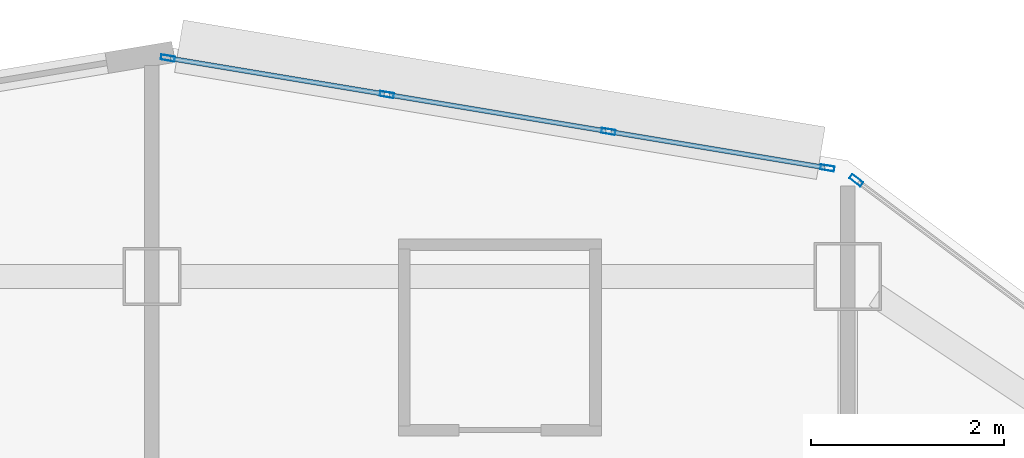
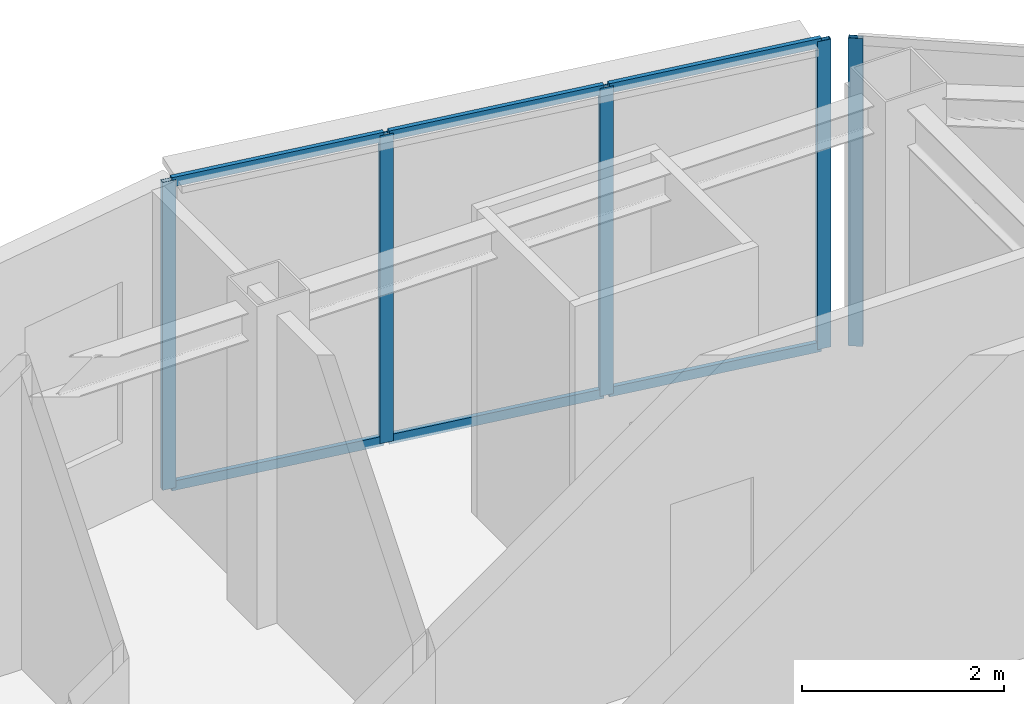
# One storey, part 3 of 10: 11 members, 2 elements without a shape of their own.
"""IFC4 building model written with IfcOpenShell, lengths in metres."""

from ifc_helpers import new_model, si_unit, direction, frame, origin, origin_2d, place, context, subcontext, project, spatial, hollow_rectangle, extrude, material, layer, layer_set, material_profile, profile_set, type_object, element, aggregate, save


model = new_model("IFC4")

# Units and contexts
model_context = context("Model", 3, precision=1e-05, world=origin(), true_north=direction((0.0, 1.0)))
body_context = subcontext(model_context, "Body", "Model", "MODEL_VIEW")
ifc_project = project(units=[si_unit("LENGTHUNIT", "METRE"), si_unit("AREAUNIT", "SQUARE_METRE"), si_unit("VOLUMEUNIT", "CUBIC_METRE"), si_unit("PLANEANGLEUNIT", "RADIAN"), si_unit("MASSUNIT", "GRAM", prefix="KILO")], contexts=[model_context])

# Site, building, storey
site_placement = place(None, origin())
site = spatial("IfcSite", under=ifc_project, at=site_placement, CompositionType="ELEMENT")
building_placement = place(site_placement, origin())
building = spatial("IfcBuilding", under=site, at=building_placement, Name="Haolan Belvedere Tower", CompositionType="ELEMENT")
storey_placement = place(building_placement, frame((0.0, 0.0, 286.10009765625)))
storey = spatial("IfcBuildingStorey", under=building, at=storey_placement, Name="L72", CompositionType="ELEMENT", Elevation=286.10009765625)

# Curtain wall, member
ifc_material_1 = material(Name="Anodised champagne-silver aluminium 6063-T6 and Low-E glass", Category="aluminium")
ifc_layer = layer(ifc_material_1, 0.14501953125, Name="Anodised champagne-silver aluminium 6063-T6 and Low-E glass")
ifc_layer_set = layer_set([ifc_layer], Name="Anodised champagne-silver aluminium 6063-T6 and Low-E glass")
curtain_wall_type = type_object("IfcCurtainWallType", Name="CW-SYS-05", PredefinedType="NOTDEFINED", material=ifc_layer_set)
curtain_wall_1_placement = place(storey_placement, origin())
curtain_wall_1 = element("IfcCurtainWall", 1, at=curtain_wall_1_placement, inside=storey, type_object=curtain_wall_type, Name="L72 CW-SYS-05 ribbon curtain wall 8.1", PredefinedType="NOTDEFINED")
ifc_material_2 = material(Name="Anodised aluminium 6063-T6", Category="aluminium")
ifc_material_profile_1 = material_profile(ifc_material_2, hollow_rectangle(XDim=0.053955078125, YDim=0.14501953125, WallThickness=0.00390625, at=origin_2d()), Name="Anodised aluminium 6063-T6")
ifc_profile_set_1 = profile_set([ifc_material_profile_1], Name="Anodised aluminium 6063-T6")
member_type_1 = type_object("IfcMemberType", Name="CW-SYS-05-MUL", PredefinedType="MULLION", material=ifc_profile_set_1)
member_1_placement = place(storey_placement, frame((45.689208984375, 51.395751953125, 0.0), z_axis=(0.0, 0.0, 1.0), x_axis=(-0.600002837806, -0.799997871638, 0.0)))
member_1 = element("IfcMember", 2, at=member_1_placement, type_object=member_type_1, Name="CW-05 mullion 3", PredefinedType="MULLION", context=body_context, shape_type="SweptSolid", body=[
    extrude(hollow_rectangle(XDim=0.053955078125, YDim=0.14501953125, WallThickness=0.00390625, at=origin_2d()), origin(), (0.0, 0.0, 1.0), 3.719970703125),
])
aggregate(curtain_wall_1, [member_1])

# Curtain wall, members
curtain_wall_2_placement = place(storey_placement, origin())
curtain_wall_2 = element("IfcCurtainWall", 3, at=curtain_wall_2_placement, inside=storey, type_object=curtain_wall_type, Name="L72 CW-SYS-05 ribbon curtain wall 9.1", PredefinedType="NOTDEFINED")
member_2_placement = place(storey_placement, frame((45.390869140625, 51.5234375, 0.0), z_axis=(0.0, 0.0, 1.0), x_axis=(-0.164405962825, -0.98639276122, 0.0)))
member_2 = element("IfcMember", 4, at=member_2_placement, type_object=member_type_1, Name="CW-05 mullion 1", PredefinedType="MULLION", context=body_context, shape_type="SweptSolid", body=[
    extrude(hollow_rectangle(XDim=0.053955078125, YDim=0.14501953125, WallThickness=0.00390625, at=origin_2d()), origin(), (0.0, 0.0, 1.0), 3.719970703125),
])
member_3_placement = place(storey_placement, frame((43.124267578125, 51.901123046875, 0.0), z_axis=(0.0, 0.0, 1.0), x_axis=(-0.164405962825, -0.98639276122, 0.0)))
member_3 = element("IfcMember", 5, at=member_3_placement, type_object=member_type_1, Name="CW-05 mullion 2", PredefinedType="MULLION", context=body_context, shape_type="SweptSolid", body=[
    extrude(hollow_rectangle(XDim=0.053955078125, YDim=0.14501953125, WallThickness=0.00390625, at=origin_2d()), origin(), (0.0, 0.0, 1.0), 3.719970703125),
])
member_4_placement = place(storey_placement, frame((40.831298828125, 52.283203125, 0.0), z_axis=(0.0, 0.0, 1.0), x_axis=(-0.164405962825, -0.98639276122, 0.0)))
member_4 = element("IfcMember", 6, at=member_4_placement, type_object=member_type_1, Name="CW-05 mullion 3", PredefinedType="MULLION", context=body_context, shape_type="SweptSolid", body=[
    extrude(hollow_rectangle(XDim=0.053955078125, YDim=0.14501953125, WallThickness=0.00390625, at=origin_2d()), origin(), (0.0, 0.0, 1.0), 3.719970703125),
])
member_5_placement = place(storey_placement, frame((38.564697265625, 52.6611328125, 0.0), z_axis=(0.0, 0.0, 1.0), x_axis=(-0.164405962825, -0.98639276122, 0.0)))
member_5 = element("IfcMember", 7, at=member_5_placement, type_object=member_type_1, Name="CW-05 mullion 4", PredefinedType="MULLION", context=body_context, shape_type="SweptSolid", body=[
    extrude(hollow_rectangle(XDim=0.053955078125, YDim=0.14501953125, WallThickness=0.00390625, at=origin_2d()), origin(), (0.0, 0.0, 1.0), 3.719970703125),
])
ifc_material_profile_2 = material_profile(ifc_material_2, hollow_rectangle(XDim=0.050048828125, YDim=0.114990234375, WallThickness=0.00390625, at=origin_2d()), Name="Anodised aluminium 6063-T6")
ifc_profile_set_2 = profile_set([ifc_material_profile_2], Name="Anodised aluminium 6063-T6")
member_type_2 = type_object("IfcMemberType", Name="CW-SYS-05-TRN", PredefinedType="USERDEFINED", material=ifc_profile_set_2)
member_6_placement = place(storey_placement, frame((45.364013671875, 51.52783203125, 0.02490234375), z_axis=(-0.986390982779, 0.164416632651, 0.0), x_axis=(-0.164416632651, -0.986390982779, 0.0)))
member_6 = element("IfcMember", 8, at=member_6_placement, type_object=member_type_2, Name="CW-05 transom 1.1", ObjectType="TRANSOM", PredefinedType="USERDEFINED", context=body_context, shape_type="SweptSolid", body=[
    extrude(hollow_rectangle(XDim=0.050048828125, YDim=0.114990234375, WallThickness=0.00390625, at=origin_2d()), origin(), (0.0, 0.0, 1.0), 2.24365234375),
])
member_7_placement = place(storey_placement, frame((45.364013671875, 51.52783203125, 3.69482421875), z_axis=(-0.986390982779, 0.164416632651, 0.0), x_axis=(-0.164416632651, -0.986390982779, 0.0)))
member_7 = element("IfcMember", 9, at=member_7_placement, type_object=member_type_2, Name="CW-05 transom 1.2", ObjectType="TRANSOM", PredefinedType="USERDEFINED", context=body_context, shape_type="SweptSolid", body=[
    extrude(hollow_rectangle(XDim=0.050048828125, YDim=0.114990234375, WallThickness=0.00390625, at=origin_2d()), origin(), (0.0, 0.0, 1.0), 2.24365234375),
])
member_8_placement = place(storey_placement, frame((43.09765625, 51.905517578125, 0.02490234375), z_axis=(-0.986393923832, 0.164398987305, 0.0), x_axis=(-0.164398987305, -0.986393923832, 0.0)))
member_8 = element("IfcMember", 10, at=member_8_placement, type_object=member_type_2, Name="CW-05 transom 2.1", ObjectType="TRANSOM", PredefinedType="USERDEFINED", context=body_context, shape_type="SweptSolid", body=[
    extrude(hollow_rectangle(XDim=0.050048828125, YDim=0.114990234375, WallThickness=0.00390625, at=origin_2d()), origin(), (0.0, 0.0, 1.0), 2.270751953125),
])
member_9_placement = place(storey_placement, frame((43.09765625, 51.905517578125, 3.69482421875), z_axis=(-0.986393923832, 0.164398987305, 0.0), x_axis=(-0.164398987305, -0.986393923832, 0.0)))
member_9 = element("IfcMember", 11, at=member_9_placement, type_object=member_type_2, Name="CW-05 transom 2.2", ObjectType="TRANSOM", PredefinedType="USERDEFINED", context=body_context, shape_type="SweptSolid", body=[
    extrude(hollow_rectangle(XDim=0.050048828125, YDim=0.114990234375, WallThickness=0.00390625, at=origin_2d()), origin(), (0.0, 0.0, 1.0), 2.270751953125),
])
member_10_placement = place(storey_placement, frame((40.8046875, 52.287841796875, 0.02490234375), z_axis=(-0.986393923832, 0.164398987305, 0.0), x_axis=(-0.164398987305, -0.986393923832, 0.0)))
member_10 = element("IfcMember", 12, at=member_10_placement, type_object=member_type_2, Name="CW-05 transom 3.1", ObjectType="TRANSOM", PredefinedType="USERDEFINED", context=body_context, shape_type="SweptSolid", body=[
    extrude(hollow_rectangle(XDim=0.050048828125, YDim=0.114990234375, WallThickness=0.00390625, at=origin_2d()), origin(), (0.0, 0.0, 1.0), 2.243896484375),
])
member_11_placement = place(storey_placement, frame((40.8046875, 52.287841796875, 3.69482421875), z_axis=(-0.986393923832, 0.164398987305, 0.0), x_axis=(-0.164398987305, -0.986393923832, 0.0)))
member_11 = element("IfcMember", 13, at=member_11_placement, type_object=member_type_2, Name="CW-05 transom 3.2", ObjectType="TRANSOM", PredefinedType="USERDEFINED", context=body_context, shape_type="SweptSolid", body=[
    extrude(hollow_rectangle(XDim=0.050048828125, YDim=0.114990234375, WallThickness=0.00390625, at=origin_2d()), origin(), (0.0, 0.0, 1.0), 2.243896484375),
])
aggregate(curtain_wall_2, [member_2, member_3, member_4, member_5, member_6, member_7, member_8, member_9, member_10, member_11])

save(model, "model.ifc")
